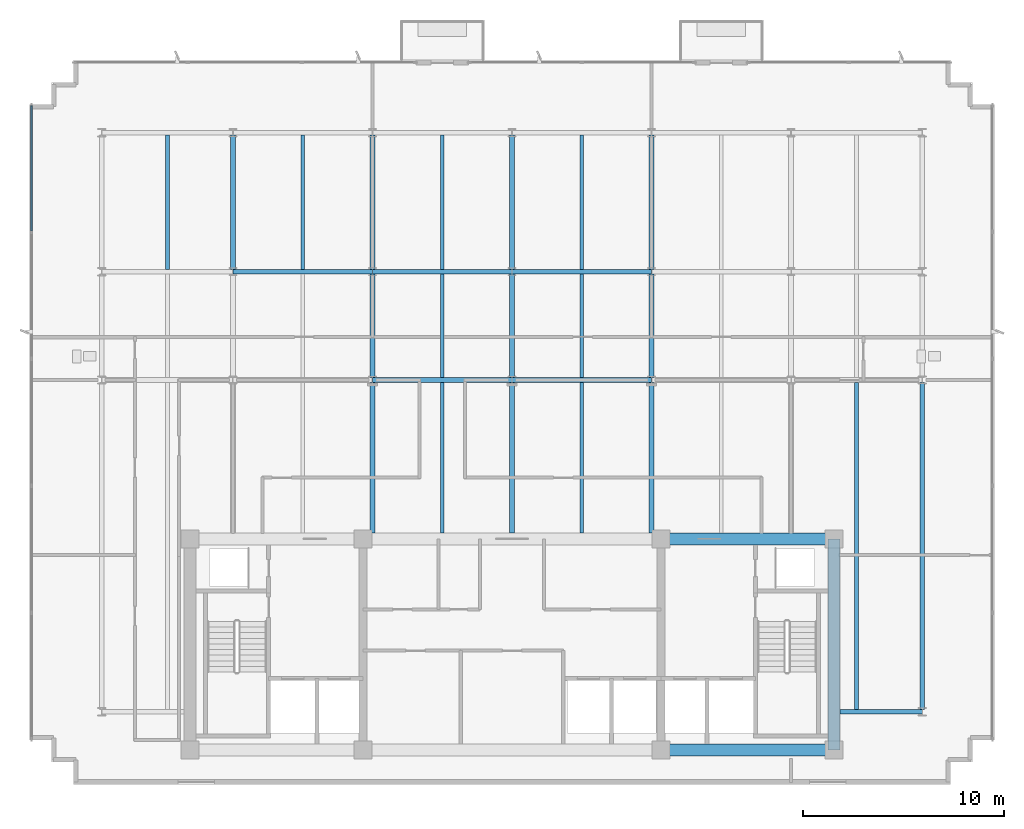
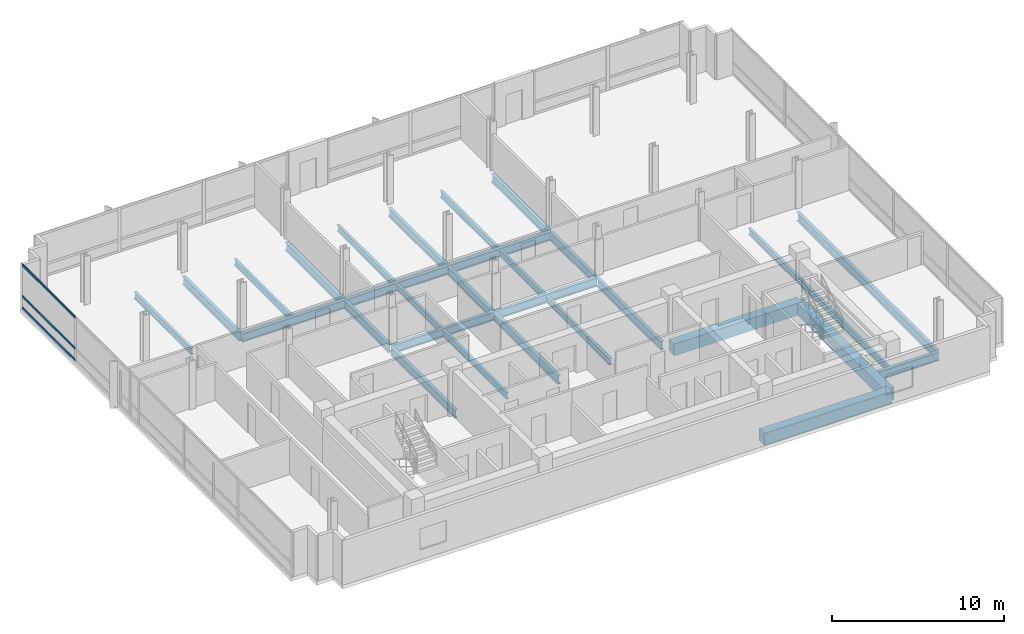
# One storey, part 3 of 13: 29 beams, 3 members, 1 element without a shape of its own.
"""IFC4 building model written with IfcOpenShell, lengths in metres."""

from ifc_helpers import new_model, si_unit, direction, frame, origin, origin_2d, place, context, subcontext, project, spatial, rectangle, i_section, extrude, material, material_profile, profile_set, type_object, element, aggregate, save


model = new_model("IFC4")

# Units and contexts
model_context = context("Model", 3, precision=1e-05, world=origin(), true_north=direction((0.0, 1.0)))
body_context = subcontext(model_context, "Body", "Model", "MODEL_VIEW")
ifc_project = project(units=[si_unit("LENGTHUNIT", "METRE"), si_unit("AREAUNIT", "SQUARE_METRE"), si_unit("VOLUMEUNIT", "CUBIC_METRE"), si_unit("PLANEANGLEUNIT", "RADIAN"), si_unit("MASSUNIT", "GRAM", prefix="KILO")], contexts=[model_context])

# Site, building, storey
site_placement = place(None, origin())
site = spatial("IfcSite", under=ifc_project, at=site_placement, CompositionType="ELEMENT")
building_placement = place(site_placement, origin())
building = spatial("IfcBuilding", under=site, at=building_placement, Name="Solmavex Isthmus Hotel", CompositionType="ELEMENT")
storey_placement = place(building_placement, frame((0.0, 0.0, 276.449951171875)))
storey = spatial("IfcBuildingStorey", under=building, at=storey_placement, Name="L75", CompositionType="ELEMENT", Elevation=276.449951171875)

# Beams
ifc_material_1 = material(Name="Steel ASTM A992 Grade 50", Category="steel")
ifc_material_profile_1 = material_profile(ifc_material_1, i_section(OverallWidth=0.1904296875, OverallDepth=0.456787109375, WebThickness=0.009033203125, FlangeThickness=0.014404296875, FilletRadius=0.0126953125, at=origin_2d()), Name="W18X50")
ifc_profile_set_1 = profile_set([ifc_material_profile_1], Name="Steel ASTM A992 Grade 50")
beam_type_1 = type_object("IfcBeamType", Name="BM-BJ-W18X50", PredefinedType="JOIST", material=ifc_profile_set_1)
for number, where, z_axis, x_axis, name in (
    (1, (-17.135986328125, 10.90185546875, -0.48828125), (0.0, 1.0, 0.0), (-1.0, 0.0, 0.0), "Secondary Floor Joist L75-J03"),
    (2, (-10.404052734375, 10.90185546875, -0.48828125), (0.0, 1.0, 0.0), (-1.0, 0.0, 0.0), "Secondary Floor Joist L75-J06"),
):
    element("IfcBeam", number, at=place(storey_placement, frame(where, z_axis=z_axis, x_axis=x_axis)), inside=storey, type_object=beam_type_1, Name=name, PredefinedType="JOIST", context=body_context, shape_type="SweptSolid", body=[
        extrude(i_section(OverallWidth=0.1904296875, OverallDepth=0.456787109375, WebThickness=0.009033203125, FlangeThickness=0.014404296875, FilletRadius=0.0126953125, at=origin_2d()), origin(), (0.0, 0.0, 1.0), 6.682861328125),
    ])
beam_1_placement = place(storey_placement, frame((-3.468017578125, -2.199951171875, -0.48828125), z_axis=(0.0, 1.0, 0.0), x_axis=(-1.0, 0.0, 0.0)))
element("IfcBeam", 3, at=beam_1_placement, inside=storey, type_object=beam_type_1, Name="Secondary Floor Joist L75-J07", PredefinedType="JOIST", context=body_context, shape_type="SweptSolid", body=[
    extrude(i_section(OverallWidth=0.1904296875, OverallDepth=0.456787109375, WebThickness=0.009033203125, FlangeThickness=0.014404296875, FilletRadius=0.0126953125, at=origin_2d()), origin(), (0.0, 0.0, 1.0), 7.486083984375),
])
beam_2_placement = place(storey_placement, frame((-3.468017578125, 5.513916015625, -0.48828125), z_axis=(0.0, 1.0, 0.0), x_axis=(-1.0, 0.0, 0.0)))
element("IfcBeam", 4, at=beam_2_placement, inside=storey, type_object=beam_type_1, Name="Secondary Floor Joist L75-J08", PredefinedType="JOIST", context=body_context, shape_type="SweptSolid", body=[
    extrude(i_section(OverallWidth=0.1904296875, OverallDepth=0.456787109375, WebThickness=0.009033203125, FlangeThickness=0.014404296875, FilletRadius=0.0126953125, at=origin_2d()), origin(), (0.0, 0.0, 1.0), 5.16015625),
])
beam_3_placement = place(storey_placement, frame((-3.468017578125, 10.90185546875, -0.48828125), z_axis=(0.0, 1.0, 0.0), x_axis=(-1.0, 0.0, 0.0)))
element("IfcBeam", 5, at=beam_3_placement, inside=storey, type_object=beam_type_1, Name="Secondary Floor Joist L75-J09", PredefinedType="JOIST", context=body_context, shape_type="SweptSolid", body=[
    extrude(i_section(OverallWidth=0.1904296875, OverallDepth=0.456787109375, WebThickness=0.009033203125, FlangeThickness=0.014404296875, FilletRadius=0.0126953125, at=origin_2d()), origin(), (0.0, 0.0, 1.0), 6.682861328125),
])
beam_4_placement = place(storey_placement, frame((3.468017578125, -2.199951171875, -0.48828125), z_axis=(0.0, 1.0, 0.0), x_axis=(-1.0, 0.0, 0.0)))
element("IfcBeam", 6, at=beam_4_placement, inside=storey, type_object=beam_type_1, Name="Secondary Floor Joist L75-J10", PredefinedType="JOIST", context=body_context, shape_type="SweptSolid", body=[
    extrude(i_section(OverallWidth=0.1904296875, OverallDepth=0.456787109375, WebThickness=0.009033203125, FlangeThickness=0.014404296875, FilletRadius=0.0126953125, at=origin_2d()), origin(), (0.0, 0.0, 1.0), 7.486083984375),
])
beam_5_placement = place(storey_placement, frame((3.468017578125, 5.513916015625, -0.48828125), z_axis=(0.0, 1.0, 0.0), x_axis=(-1.0, 0.0, 0.0)))
element("IfcBeam", 7, at=beam_5_placement, inside=storey, type_object=beam_type_1, Name="Secondary Floor Joist L75-J11", PredefinedType="JOIST", context=body_context, shape_type="SweptSolid", body=[
    extrude(i_section(OverallWidth=0.1904296875, OverallDepth=0.456787109375, WebThickness=0.009033203125, FlangeThickness=0.014404296875, FilletRadius=0.0126953125, at=origin_2d()), origin(), (0.0, 0.0, 1.0), 5.16015625),
])
beam_6_placement = place(storey_placement, frame((3.468017578125, 10.90185546875, -0.48828125), z_axis=(0.0, 1.0, 0.0), x_axis=(-1.0, 0.0, 0.0)))
element("IfcBeam", 8, at=beam_6_placement, inside=storey, type_object=beam_type_1, Name="Secondary Floor Joist L75-J12", PredefinedType="JOIST", context=body_context, shape_type="SweptSolid", body=[
    extrude(i_section(OverallWidth=0.1904296875, OverallDepth=0.456787109375, WebThickness=0.009033203125, FlangeThickness=0.014404296875, FilletRadius=0.0126953125, at=origin_2d()), origin(), (0.0, 0.0, 1.0), 6.682861328125),
])
beam_7_placement = place(storey_placement, frame((17.135986328125, -10.98486328125, -0.48828125), z_axis=(0.0, 1.0, 0.0), x_axis=(-1.0, 0.0, 0.0)))
element("IfcBeam", 9, at=beam_7_placement, inside=storey, type_object=beam_type_1, Name="Secondary Floor Joist L75-J16", PredefinedType="JOIST", context=body_context, shape_type="SweptSolid", body=[
    extrude(i_section(OverallWidth=0.1904296875, OverallDepth=0.456787109375, WebThickness=0.009033203125, FlangeThickness=0.014404296875, FilletRadius=0.0126953125, at=origin_2d()), origin(), (0.0, 0.0, 1.0), 16.27099609375),
])
ifc_material_profile_2 = material_profile(ifc_material_1, i_section(OverallWidth=0.227783203125, OverallDepth=0.602783203125, WebThickness=0.010498046875, FlangeThickness=0.014892578125, FilletRadius=0.01513671875, at=origin_2d()), Name="W24X68")
ifc_profile_set_2 = profile_set([ifc_material_profile_2], Name="Steel ASTM A992 Grade 50")
beam_type_2 = type_object("IfcBeamType", Name="BM-BM-W24X68", PredefinedType="BEAM", material=ifc_profile_set_2)
for number, where, z_axis, x_axis, name in (
    (10, (-6.93603515625, 5.39990234375, -0.561279296875), (1.0, 0.0, 0.0), (0.0, 1.0, 0.0), "Floor Girder L75-UG05"),
    (11, (0.0, 5.39990234375, -0.561279296875), (1.0, 0.0, 0.0), (0.0, 1.0, 0.0), "Floor Girder L75-UG06"),
    (12, (-13.8720703125, 10.7880859375, -0.561279296875), (1.0, 0.0, 0.0), (0.0, 1.0, 0.0), "Floor Girder L75-UG10"),
    (13, (-6.93603515625, 10.7880859375, -0.561279296875), (1.0, 0.0, 0.0), (0.0, 1.0, 0.0), "Floor Girder L75-UG11"),
    (14, (0.0, 10.7880859375, -0.561279296875), (1.0, 0.0, 0.0), (0.0, 1.0, 0.0), "Floor Girder L75-UG12"),
):
    element("IfcBeam", number, at=place(storey_placement, frame(where, z_axis=z_axis, x_axis=x_axis)), inside=storey, type_object=beam_type_2, Name=name, PredefinedType="BEAM", context=body_context, shape_type="SweptSolid", body=[
        extrude(i_section(OverallWidth=0.227783203125, OverallDepth=0.602783203125, WebThickness=0.010498046875, FlangeThickness=0.014892578125, FilletRadius=0.01513671875, at=origin_2d()), origin(), (0.0, 0.0, 1.0), 6.93603515625),
    ])
beam_8_placement = place(storey_placement, frame((-13.8720703125, 10.90185546875, -0.561279296875), z_axis=(0.0, 1.0, 0.0), x_axis=(-1.0, 0.0, 0.0)))
element("IfcBeam", 15, at=beam_8_placement, inside=storey, type_object=beam_type_2, Name="Floor Beam L75-VG26", PredefinedType="BEAM", context=body_context, shape_type="SweptSolid", body=[
    extrude(i_section(OverallWidth=0.227783203125, OverallDepth=0.602783203125, WebThickness=0.010498046875, FlangeThickness=0.014892578125, FilletRadius=0.01513671875, at=origin_2d()), origin(), (0.0, 0.0, 1.0), 6.682861328125),
])
beam_9_placement = place(storey_placement, frame((-6.93603515625, -2.199951171875, -0.561279296875), z_axis=(0.0, 1.0, 0.0), x_axis=(-1.0, 0.0, 0.0)))
element("IfcBeam", 16, at=beam_9_placement, inside=storey, type_object=beam_type_2, Name="Floor Beam L75-VG27", PredefinedType="BEAM", context=body_context, shape_type="SweptSolid", body=[
    extrude(i_section(OverallWidth=0.227783203125, OverallDepth=0.602783203125, WebThickness=0.010498046875, FlangeThickness=0.014892578125, FilletRadius=0.01513671875, at=origin_2d()), origin(), (0.0, 0.0, 1.0), 7.486083984375),
])
beam_10_placement = place(storey_placement, frame((-6.93603515625, 5.513916015625, -0.561279296875), z_axis=(0.0, 1.0, 0.0), x_axis=(-1.0, 0.0, 0.0)))
element("IfcBeam", 17, at=beam_10_placement, inside=storey, type_object=beam_type_2, Name="Floor Beam L75-VG28", PredefinedType="BEAM", context=body_context, shape_type="SweptSolid", body=[
    extrude(i_section(OverallWidth=0.227783203125, OverallDepth=0.602783203125, WebThickness=0.010498046875, FlangeThickness=0.014892578125, FilletRadius=0.01513671875, at=origin_2d()), origin(), (0.0, 0.0, 1.0), 5.16015625),
])
beam_11_placement = place(storey_placement, frame((-6.93603515625, 10.90185546875, -0.561279296875), z_axis=(0.0, 1.0, 0.0), x_axis=(-1.0, 0.0, 0.0)))
element("IfcBeam", 18, at=beam_11_placement, inside=storey, type_object=beam_type_2, Name="Floor Beam L75-VG29", PredefinedType="BEAM", context=body_context, shape_type="SweptSolid", body=[
    extrude(i_section(OverallWidth=0.227783203125, OverallDepth=0.602783203125, WebThickness=0.010498046875, FlangeThickness=0.014892578125, FilletRadius=0.01513671875, at=origin_2d()), origin(), (0.0, 0.0, 1.0), 6.682861328125),
])
beam_12_placement = place(storey_placement, frame((0.0, -2.199951171875, -0.561279296875), z_axis=(0.0, 1.0, 0.0), x_axis=(-1.0, 0.0, 0.0)))
element("IfcBeam", 19, at=beam_12_placement, inside=storey, type_object=beam_type_2, Name="Floor Beam L75-VG30", PredefinedType="BEAM", context=body_context, shape_type="SweptSolid", body=[
    extrude(i_section(OverallWidth=0.227783203125, OverallDepth=0.602783203125, WebThickness=0.010498046875, FlangeThickness=0.014892578125, FilletRadius=0.01513671875, at=origin_2d()), origin(), (0.0, 0.0, 1.0), 7.486083984375),
])
beam_13_placement = place(storey_placement, frame((0.0, 5.513916015625, -0.561279296875), z_axis=(0.0, 1.0, 0.0), x_axis=(-1.0, 0.0, 0.0)))
element("IfcBeam", 20, at=beam_13_placement, inside=storey, type_object=beam_type_2, Name="Floor Beam L75-VG31", PredefinedType="BEAM", context=body_context, shape_type="SweptSolid", body=[
    extrude(i_section(OverallWidth=0.227783203125, OverallDepth=0.602783203125, WebThickness=0.010498046875, FlangeThickness=0.014892578125, FilletRadius=0.01513671875, at=origin_2d()), origin(), (0.0, 0.0, 1.0), 5.16015625),
])
beam_14_placement = place(storey_placement, frame((0.0, 10.90185546875, -0.561279296875), z_axis=(0.0, 1.0, 0.0), x_axis=(-1.0, 0.0, 0.0)))
element("IfcBeam", 21, at=beam_14_placement, inside=storey, type_object=beam_type_2, Name="Floor Beam L75-VG32", PredefinedType="BEAM", context=body_context, shape_type="SweptSolid", body=[
    extrude(i_section(OverallWidth=0.227783203125, OverallDepth=0.602783203125, WebThickness=0.010498046875, FlangeThickness=0.014892578125, FilletRadius=0.01513671875, at=origin_2d()), origin(), (0.0, 0.0, 1.0), 6.682861328125),
])
beam_15_placement = place(storey_placement, frame((6.93603515625, -2.199951171875, -0.561279296875), z_axis=(0.0, 1.0, 0.0), x_axis=(-1.0, 0.0, 0.0)))
element("IfcBeam", 22, at=beam_15_placement, inside=storey, type_object=beam_type_2, Name="Floor Beam L75-VG33", PredefinedType="BEAM", context=body_context, shape_type="SweptSolid", body=[
    extrude(i_section(OverallWidth=0.227783203125, OverallDepth=0.602783203125, WebThickness=0.010498046875, FlangeThickness=0.014892578125, FilletRadius=0.01513671875, at=origin_2d()), origin(), (0.0, 0.0, 1.0), 7.486083984375),
])
beam_16_placement = place(storey_placement, frame((6.93603515625, 5.513916015625, -0.561279296875), z_axis=(0.0, 1.0, 0.0), x_axis=(-1.0, 0.0, 0.0)))
element("IfcBeam", 23, at=beam_16_placement, inside=storey, type_object=beam_type_2, Name="Floor Beam L75-VG34", PredefinedType="BEAM", context=body_context, shape_type="SweptSolid", body=[
    extrude(i_section(OverallWidth=0.227783203125, OverallDepth=0.602783203125, WebThickness=0.010498046875, FlangeThickness=0.014892578125, FilletRadius=0.01513671875, at=origin_2d()), origin(), (0.0, 0.0, 1.0), 5.16015625),
])
beam_17_placement = place(storey_placement, frame((6.93603515625, 10.90185546875, -0.561279296875), z_axis=(0.0, 1.0, 0.0), x_axis=(-1.0, 0.0, 0.0)))
element("IfcBeam", 24, at=beam_17_placement, inside=storey, type_object=beam_type_2, Name="Floor Beam L75-VG35", PredefinedType="BEAM", context=body_context, shape_type="SweptSolid", body=[
    extrude(i_section(OverallWidth=0.227783203125, OverallDepth=0.602783203125, WebThickness=0.010498046875, FlangeThickness=0.014892578125, FilletRadius=0.01513671875, at=origin_2d()), origin(), (0.0, 0.0, 1.0), 6.682861328125),
])
ifc_material_2 = material(Name="Concrete C50/60", Category="concrete")
ifc_material_profile_3 = material_profile(ifc_material_2, rectangle(XDim=0.60009765625, YDim=0.85009765625, at=origin_2d()), Name="RC600X850")
ifc_profile_set_3 = profile_set([ifc_material_profile_3], Name="Concrete C50/60")
beam_type_3 = type_object("IfcBeamType", Name="BM-CB-600X850", PredefinedType="BEAM", material=ifc_profile_set_3)
for number, where, z_axis, x_axis, name in (
    (25, (7.39990234375, -13.0, -0.68505859375), (1.0, 0.0, 0.0), (0.0, 1.0, 0.0), "Core Coupling Beam L75-CB3"),
    (26, (7.39990234375, -2.5, -0.68505859375), (1.0, 0.0, 0.0), (0.0, 1.0, 0.0), "Core Coupling Beam L75-CB6"),
):
    element("IfcBeam", number, at=place(storey_placement, frame(where, z_axis=z_axis, x_axis=x_axis)), inside=storey, type_object=beam_type_3, Name=name, PredefinedType="BEAM", context=body_context, shape_type="SweptSolid", body=[
        extrude(rectangle(XDim=0.60009765625, YDim=0.85009765625, at=origin_2d()), origin(), (0.0, 0.0, 1.0), 8.60009765625),
    ])
beam_18_placement = place(storey_placement, frame((16.0, -13.0, -0.68505859375), z_axis=(0.0, 1.0, 0.0), x_axis=(-1.0, 0.0, 0.0)))
element("IfcBeam", 27, at=beam_18_placement, inside=storey, type_object=beam_type_3, Name="Core Coupling Beam L75-CB8", PredefinedType="BEAM", context=body_context, shape_type="SweptSolid", body=[
    extrude(rectangle(XDim=0.60009765625, YDim=0.85009765625, at=origin_2d()), origin(), (0.0, 0.0, 1.0), 10.5),
])
ifc_material_profile_4 = material_profile(ifc_material_1, i_section(OverallWidth=0.230224609375, OverallDepth=0.617431640625, WebThickness=0.01318359375, FlangeThickness=0.022216796875, FilletRadius=0.01513671875, at=origin_2d()), Name="W24X94")
ifc_profile_set_4 = profile_set([ifc_material_profile_4], Name="Steel ASTM A992 Grade 50")
beam_type_4 = type_object("IfcBeamType", Name="BM-SP-W24X94", PredefinedType="SPANDREL", material=ifc_profile_set_4)
beam_19_placement = place(storey_placement, frame((16.300048828125, -11.10009765625, -0.568603515625), z_axis=(1.0, 0.0, 0.0), x_axis=(0.0, 1.0, 0.0)))
element("IfcBeam", 28, at=beam_19_placement, inside=storey, type_object=beam_type_4, Name="Floor Girder L75-UG02", PredefinedType="SPANDREL", context=body_context, shape_type="SweptSolid", body=[
    extrude(i_section(OverallWidth=0.230224609375, OverallDepth=0.617431640625, WebThickness=0.01318359375, FlangeThickness=0.022216796875, FilletRadius=0.01513671875, at=origin_2d()), origin(), (0.0, 0.0, 1.0), 4.099853515625),
])
beam_20_placement = place(storey_placement, frame((20.39990234375, -10.98486328125, -0.568603515625), z_axis=(0.0, 1.0, 0.0), x_axis=(-1.0, 0.0, 0.0)))
element("IfcBeam", 29, at=beam_20_placement, inside=storey, type_object=beam_type_4, Name="Floor Beam L75-VG39", PredefinedType="SPANDREL", context=body_context, shape_type="SweptSolid", body=[
    extrude(i_section(OverallWidth=0.230224609375, OverallDepth=0.617431640625, WebThickness=0.01318359375, FlangeThickness=0.022216796875, FilletRadius=0.01513671875, at=origin_2d()), origin(), (0.0, 0.0, 1.0), 16.27099609375),
])

# Curtain wall, members
ifc_material_3 = material(Name="Aluminium alloy 6063-T6", Category="aluminium")
curtain_wall_type = type_object("IfcCurtainWallType", Name="CW-SYS-04", PredefinedType="NOTDEFINED", material=ifc_material_3)
curtain_wall_placement = place(storey_placement, origin())
curtain_wall = element("IfcCurtainWall", 30, at=curtain_wall_placement, inside=storey, type_object=curtain_wall_type, Name="Stick Curtain Wall CWL-L75-W1", PredefinedType="NOTDEFINED")
ifc_material_profile_5 = material_profile(ifc_material_3, rectangle(XDim=0.074951171875, YDim=0.14990234375, at=origin_2d()), Name="CWT-75X150")
ifc_profile_set_5 = profile_set([ifc_material_profile_5], Name="Aluminium alloy 6063-T6")
member_type = type_object("IfcMemberType", Name="CW-SYS-04-TRN", PredefinedType="USERDEFINED", material=ifc_profile_set_5)
member_1_placement = place(storey_placement, frame((-23.8798828125, 12.8173828125, 0.074951171875), z_axis=(0.0, 1.0, 0.0), x_axis=(-1.0, 0.0, 0.0)))
member_1 = element("IfcMember", 31, at=member_1_placement, type_object=member_type, Name="CW-04 transom 5.1", ObjectType="TRANSOM", PredefinedType="USERDEFINED", context=body_context, shape_type="SweptSolid", body=[
    extrude(rectangle(XDim=0.074951171875, YDim=0.14990234375, at=origin_2d()), origin(), (0.0, 0.0, 1.0), 6.20751953125),
])
member_2_placement = place(storey_placement, frame((-23.8798828125, 12.8173828125, 0.900146484375), z_axis=(0.0, 1.0, 0.0), x_axis=(-1.0, 0.0, 0.0)))
member_2 = element("IfcMember", 32, at=member_2_placement, type_object=member_type, Name="CW-04 transom 5.2", ObjectType="TRANSOM", PredefinedType="USERDEFINED", context=body_context, shape_type="SweptSolid", body=[
    extrude(rectangle(XDim=0.074951171875, YDim=0.14990234375, at=origin_2d()), origin(), (0.0, 0.0, 1.0), 6.20751953125),
])
member_3_placement = place(storey_placement, frame((-23.8798828125, 12.8173828125, 3.114990234375), z_axis=(0.0, 1.0, 0.0), x_axis=(-1.0, 0.0, 0.0)))
member_3 = element("IfcMember", 33, at=member_3_placement, type_object=member_type, Name="CW-04 transom 5.3", ObjectType="TRANSOM", PredefinedType="USERDEFINED", context=body_context, shape_type="SweptSolid", body=[
    extrude(rectangle(XDim=0.074951171875, YDim=0.14990234375, at=origin_2d()), origin(), (0.0, 0.0, 1.0), 6.20751953125),
])
aggregate(curtain_wall, [member_1, member_2, member_3])

save(model, "model.ifc")
